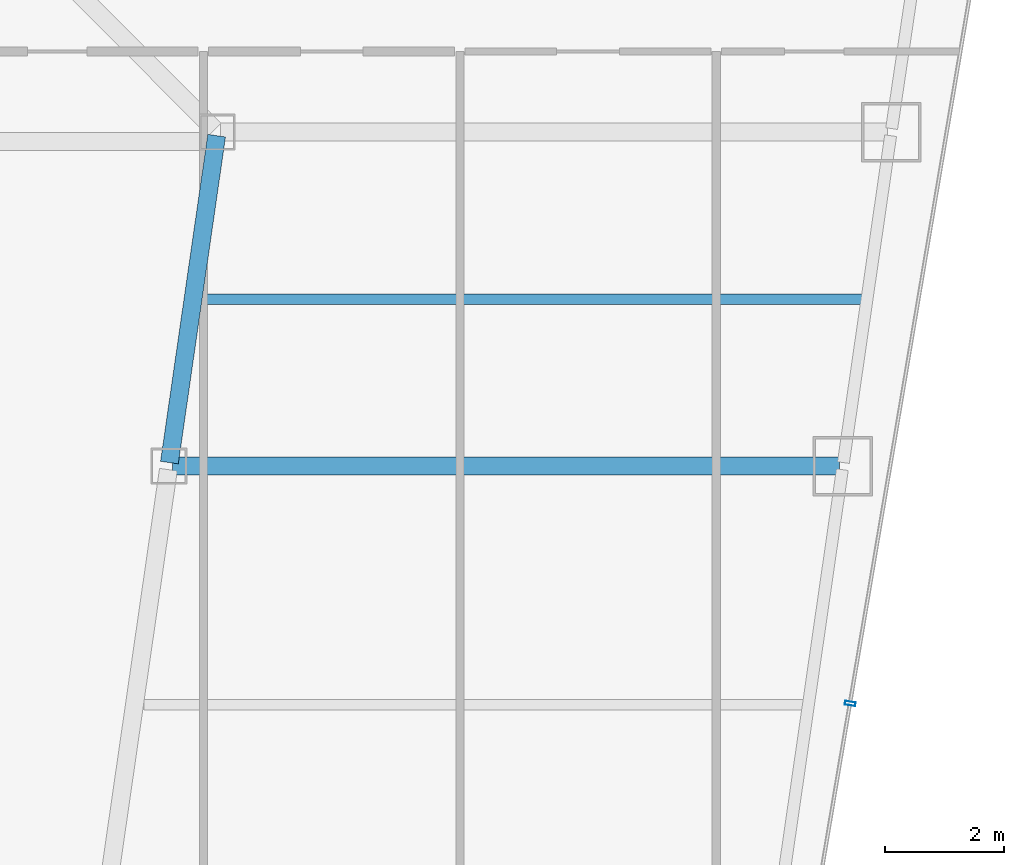
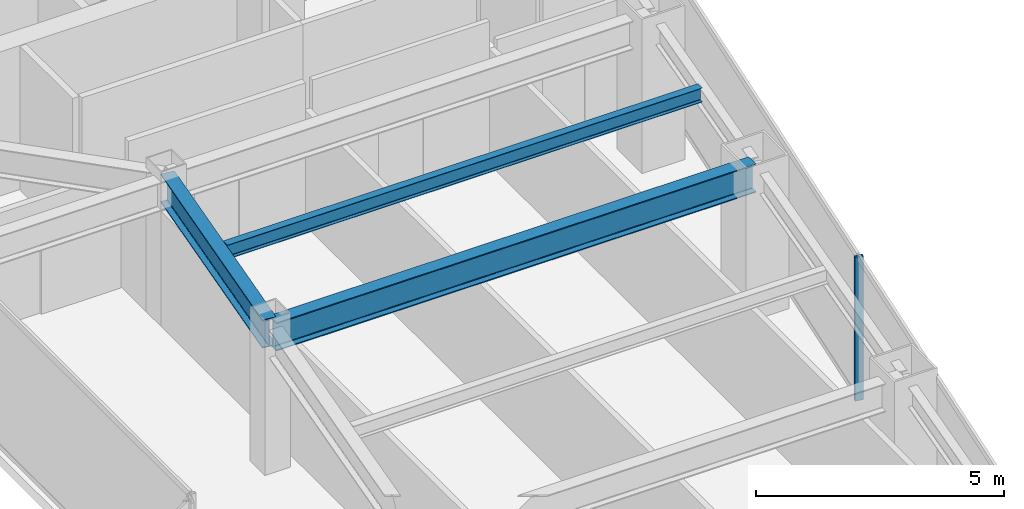
# One storey, part 18 of 36: 3 beams, 1 member, 1 element without a shape of its own.
"""IFC4 building model written with IfcOpenShell, lengths in metres."""

from ifc_helpers import new_model, si_unit, direction, frame, origin, origin_2d, place, context, subcontext, project, spatial, hollow_rectangle, i_section, extrude, material, material_profile, profile_set, type_object, element, aggregate, save


model = new_model("IFC4")

# Units and contexts
model_context = context("Model", 3, precision=1e-05, world=origin(), true_north=direction((0.0, 1.0)))
body_context = subcontext(model_context, "Body", "Model", "MODEL_VIEW")
ifc_project = project(units=[si_unit("LENGTHUNIT", "METRE"), si_unit("AREAUNIT", "SQUARE_METRE"), si_unit("VOLUMEUNIT", "CUBIC_METRE"), si_unit("PLANEANGLEUNIT", "RADIAN"), si_unit("MASSUNIT", "GRAM", prefix="KILO")], contexts=[model_context])

# Site, building, storey
site_placement = place(None, origin())
site = spatial("IfcSite", under=ifc_project, at=site_placement, CompositionType="ELEMENT")
building_placement = place(site_placement, origin())
building = spatial("IfcBuilding", under=site, at=building_placement, Name="Saevonmaru Cultural Tower", CompositionType="ELEMENT")
storey_placement = place(building_placement, frame((0.0, 0.0, 171.39990234375)))
storey = spatial("IfcBuildingStorey", under=building, at=storey_placement, Name="L38", CompositionType="ELEMENT", Elevation=171.39990234375)

# Beams
ifc_material_1 = material(Name="Steel SM355", Category="steel")
ifc_material_profile_1 = material_profile(ifc_material_1, i_section(OverallWidth=0.300048828125, OverallDepth=0.699951171875, WebThickness=0.012939453125, FlangeThickness=0.02392578125, FilletRadius=0.02587890625, at=origin_2d()), Name="H-700x300x13x24")
ifc_profile_set_1 = profile_set([ifc_material_profile_1], Name="Steel SM355")
beam_type_1 = type_object("IfcBeamType", Name="BM-G-H700", PredefinedType="BEAM", material=ifc_profile_set_1)
beam_1_placement = place(storey_placement, frame((40.3916015625, 32.059326171875, 3.2001953125), z_axis=(0.142964121327, 0.989727871697, 0.0), x_axis=(-0.989727871697, 0.142964121327, 0.0)))
element("IfcBeam", 1, at=beam_1_placement, inside=storey, type_object=beam_type_1, Name="L38 East Atrium Girder 3", PredefinedType="BEAM", context=body_context, shape_type="SweptSolid", body=[
    extrude(i_section(OverallWidth=0.300048828125, OverallDepth=0.699951171875, WebThickness=0.012939453125, FlangeThickness=0.02392578125, FilletRadius=0.02587890625, at=origin_2d()), origin(), (0.0, 0.0, 1.0), 5.5380859375),
])
beam_2_placement = place(storey_placement, frame((40.443115234375, 32.0, 3.2001953125), z_axis=(1.0, 0.0, 0.0), x_axis=(0.0, 1.0, 0.0)))
element("IfcBeam", 2, at=beam_2_placement, inside=storey, type_object=beam_type_1, Name="L38 East Wing Transverse Girder 3", PredefinedType="BEAM", context=body_context, shape_type="SweptSolid", body=[
    extrude(i_section(OverallWidth=0.300048828125, OverallDepth=0.699951171875, WebThickness=0.012939453125, FlangeThickness=0.02392578125, FilletRadius=0.02587890625, at=origin_2d()), origin(), (0.0, 0.0, 1.0), 11.179931640625),
])
ifc_material_profile_2 = material_profile(ifc_material_1, i_section(OverallWidth=0.175048828125, OverallDepth=0.35009765625, WebThickness=0.007080078125, FlangeThickness=0.010986328125, FilletRadius=0.012939453125, at=origin_2d()), Name="H-350x175x7x11")
ifc_profile_set_2 = profile_set([ifc_material_profile_2], Name="Steel SM355")
beam_type_2 = type_object("IfcBeamType", Name="BM-J-H350", PredefinedType="JOIST", material=ifc_profile_set_2)
beam_3_placement = place(storey_placement, frame((40.945556640625, 34.800048828125, 3.375), z_axis=(1.0, 0.0, 0.0), x_axis=(0.0, 1.0, 0.0)))
element("IfcBeam", 3, at=beam_3_placement, inside=storey, type_object=beam_type_2, Name="L38 East Wing Floor Joist 3", PredefinedType="JOIST", context=body_context, shape_type="SweptSolid", body=[
    extrude(i_section(OverallWidth=0.175048828125, OverallDepth=0.35009765625, WebThickness=0.007080078125, FlangeThickness=0.010986328125, FilletRadius=0.012939453125, at=origin_2d()), origin(), (0.0, 0.0, 1.0), 11.08203125),
])

# Curtain wall, member
ifc_material_2 = material(Name="Satin Bronze Anodised Aluminium", Category="aluminium")
curtain_wall_type = type_object("IfcCurtainWallType", Name="CW-TYP-A", PredefinedType="NOTDEFINED", material=ifc_material_2)
curtain_wall_placement = place(storey_placement, origin())
curtain_wall = element("IfcCurtainWall", 4, at=curtain_wall_placement, inside=storey, type_object=curtain_wall_type, Name="L38 Unitised Curtain Wall E8", PredefinedType="NOTDEFINED")
ifc_material_profile_3 = material_profile(ifc_material_2, hollow_rectangle(XDim=0.06494140625, YDim=0.179931640625, WallThickness=0.00390625, at=origin_2d()), Name="ALU-MULL-180x65x4")
ifc_profile_set_3 = profile_set([ifc_material_profile_3], Name="Satin Bronze Anodised Aluminium")
member_type = type_object("IfcMemberType", Name="ML-CW-180x65", PredefinedType="MULLION", material=ifc_profile_set_3)
member_placement = place(storey_placement, frame((51.8046875, 28.019775390625, 0.0), z_axis=(0.0, 0.0, 1.0), x_axis=(0.16692169721, 0.985970155228, 0.0)))
member = element("IfcMember", 5, at=member_placement, type_object=member_type, Name="CW-TW-L38-E8 mullion 2", PredefinedType="MULLION", context=body_context, shape_type="SweptSolid", body=[
    extrude(hollow_rectangle(XDim=0.06494140625, YDim=0.179931640625, WallThickness=0.00390625, at=origin_2d()), origin(), (0.0, 0.0, 1.0), 3.550048828125),
])
aggregate(curtain_wall, [member])

save(model, "model.ifc")
